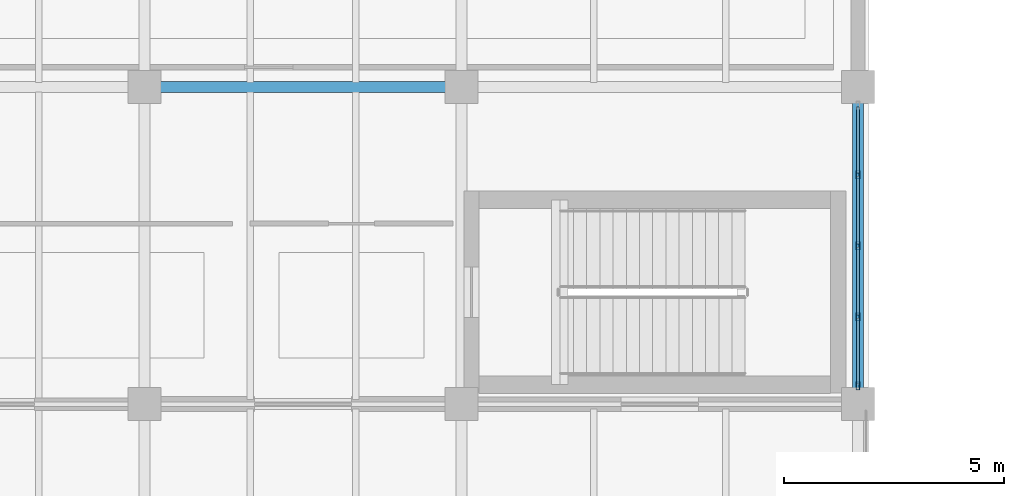
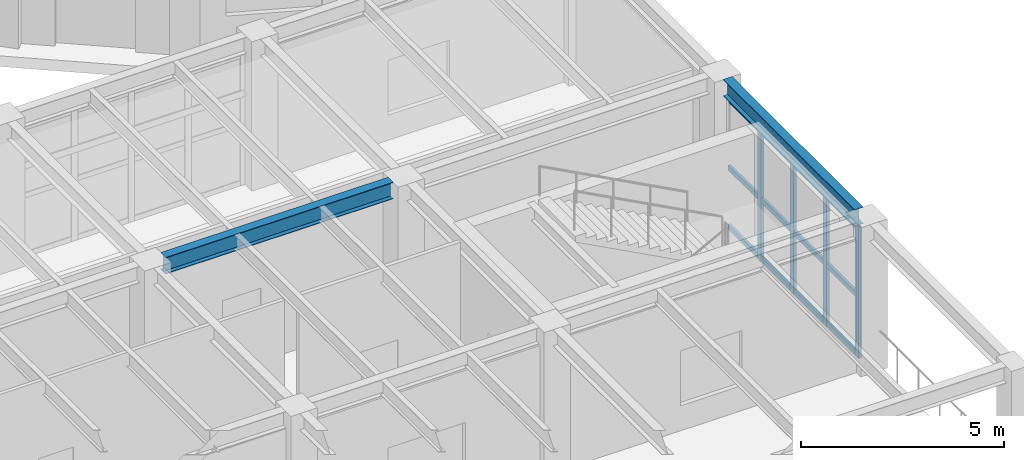
# One storey, part 16 of 39: 16 members, 2 beams, 1 element without a shape of its own.
"""IFC4 building model written with IfcOpenShell, lengths in metres."""

import ifcopenshell
import ifcopenshell.guid

model = None  # the IFC model being written
_history = None  # IfcOwnerHistory: only IFC2X3 demands one
_inside = {}  # id of a spatial element -> (the spatial element, [elements in it])
_under = {}  # id of a project, library or spatial element -> (it, [spatial elements below it])
_declared = {}  # id of a project -> (the project, [libraries it declares])
_typed = {}  # id of a type object -> (the type object, [elements of that type])
_made_of = {}  # id of a material, layer set ... -> (it, [elements and type objects made of it])


def new_model(schema):
    """Start an empty IFC model of exactly this schema.

    Asked for "IFC4X3", IfcOpenShell would pick the latest addendum, in which some entities
    have other attributes; the version numbers below select the first issue.
    IFC2X3 requires an IfcOwnerHistory on every rooted entity: one is made here for all.
    """
    global model, _history
    if schema == "IFC4X3":
        model = ifcopenshell.file(schema_version=(4, 3, 0, 0))
    else:
        model = ifcopenshell.file(schema=schema)
    _inside.clear()
    _under.clear()
    _declared.clear()
    _typed.clear()
    _made_of.clear()
    _history = None
    if model.schema == "IFC2X3":
        org = make("IfcOrganization", Name="unknown")
        user = make(
            "IfcPersonAndOrganization",
            ThePerson=make("IfcPerson", FamilyName="unknown"),
            TheOrganization=org,
        )
        app = make(
            "IfcApplication",
            ApplicationDeveloper=org,
            Version="unknown",
            ApplicationFullName="unknown",
            ApplicationIdentifier="unknown",
        )
        _history = make(
            "IfcOwnerHistory",
            OwningUser=user,
            OwningApplication=app,
            ChangeAction="ADDED",
            CreationDate=0,
        )
    return model


def make(cls, **values):
    """One entity of the class cls with the attributes given. An attribute that is None is left unset."""
    return model.create_entity(
        cls, **{name: value for name, value in values.items() if value is not None}
    )


def rooted(cls, **values):
    """An entity with a GlobalId (a new one), such as an element, a storey or a relation."""
    return make(cls, GlobalId=ifcopenshell.guid.new(), OwnerHistory=_history, **values)


def si_unit(unit_type, name, prefix=None):
    """IfcSIUnit, for example si_unit("LENGTHUNIT", "METRE", prefix="MILLI")."""
    return make("IfcSIUnit", UnitType=unit_type, Prefix=prefix, Name=name)


def assignment(units):
    """IfcUnitAssignment: the units of a project."""
    return None if units is None else make("IfcUnitAssignment", Units=units)


def point(xyz):
    """IfcCartesianPoint."""
    return None if xyz is None else make("IfcCartesianPoint", Coordinates=xyz)


def direction(xyz):
    """IfcDirection."""
    return None if xyz is None else make("IfcDirection", DirectionRatios=xyz)


def frame(location, z_axis=None, x_axis=None):
    """IfcAxis2Placement3D, a coordinate frame: its origin and axes. An axis left out is left unset."""
    return make(
        "IfcAxis2Placement3D",
        Location=point(location),
        Axis=direction(z_axis),
        RefDirection=direction(x_axis),
    )


def frame_2d(location, x_axis=None):
    """IfcAxis2Placement2D, a coordinate frame in the plane: its origin and x axis."""
    return make(
        "IfcAxis2Placement2D", Location=point(location), RefDirection=direction(x_axis)
    )


def origin():
    """The frame at (0, 0, 0) with its axes left unset."""
    return frame((0.0, 0.0, 0.0))


def origin_2d():
    """The frame at (0, 0) in the plane with its x axis left unset."""
    return frame_2d((0.0, 0.0))


def place(relative_to, where):
    """IfcLocalPlacement: puts the frame where relative to a parent placement (None: the world)."""
    return make(
        "IfcLocalPlacement", PlacementRelTo=relative_to, RelativePlacement=where
    )


def context(
    kind, dimensions, precision=None, world=None, true_north=None, identifier=None
):
    """IfcGeometricRepresentationContext, for example the 3D "Model" context."""
    return make(
        "IfcGeometricRepresentationContext",
        ContextIdentifier=identifier,
        ContextType=kind,
        CoordinateSpaceDimension=dimensions,
        Precision=precision,
        WorldCoordinateSystem=world,
        TrueNorth=true_north,
    )


def subcontext(parent, identifier, kind, view, scale=None):
    """IfcGeometricRepresentationSubContext, for example "Body" below "Model"."""
    return make(
        "IfcGeometricRepresentationSubContext",
        ContextIdentifier=identifier,
        ContextType=kind,
        ParentContext=parent,
        TargetScale=scale,
        TargetView=view,
    )


def project(units=None, contexts=None):
    """IfcProject with its units and contexts."""
    return rooted(
        "IfcProject",
        Name="project",
        RepresentationContexts=contexts,
        UnitsInContext=assignment(units),
    )


def spatial(cls, under=None, at=None, **own):
    """A site, building, storey or space (cls), placed at a placement, below another one or the project."""
    s = rooted(cls, ObjectPlacement=at, **own)
    if under is not None:
        _under.setdefault(under.id(), (under, []))[1].append(s)
    return s


def profile(cls, at=None, kind="AREA", **sizes):
    """A parametric profile (cls). Its sizes go by their IFC names, for example OverallWidth=200.0."""
    return make(cls, ProfileType=kind, Position=at, **sizes)


def hollow_rectangle(**sizes):
    """IfcRectangleHollowProfileDef."""
    return profile("IfcRectangleHollowProfileDef", **sizes)


def i_section(**sizes):
    """IfcIShapeProfileDef."""
    return profile("IfcIShapeProfileDef", **sizes)


def extrude(swept, where, along, depth):
    """IfcExtrudedAreaSolid: the profile swept, set in the frame where, extruded along a direction by depth."""
    return make(
        "IfcExtrudedAreaSolid",
        SweptArea=swept,
        Position=where,
        ExtrudedDirection=direction(along),
        Depth=depth,
    )


def shape(context_of_items, identifier, shape_type, items):
    """IfcShapeRepresentation: the items that make up one representation, for example the "Body"."""
    return make(
        "IfcShapeRepresentation",
        ContextOfItems=context_of_items,
        RepresentationIdentifier=identifier,
        RepresentationType=shape_type,
        Items=items,
    )


def material(Name=None, Category=None):
    """IfcMaterial."""
    return make("IfcMaterial", Name=Name, Category=Category)


def layer(
    of_material, thickness, ventilated=None, Name=None, Category=None, Priority=None
):
    """IfcMaterialLayer: one layer of a wall or slab, of a material (None: an air gap)."""
    return make(
        "IfcMaterialLayer",
        Material=of_material,
        LayerThickness=thickness,
        IsVentilated=ventilated,
        Name=Name,
        Category=Category,
        Priority=Priority,
    )


def layer_set(layers, Name=None):
    """IfcMaterialLayerSet."""
    return make("IfcMaterialLayerSet", MaterialLayers=layers, LayerSetName=Name)


def material_profile(
    of_material, cross_section, Name=None, Category=None, Priority=None
):
    """IfcMaterialProfile: a cross section and its material."""
    return make(
        "IfcMaterialProfile",
        Name=Name,
        Material=of_material,
        Profile=cross_section,
        Priority=Priority,
        Category=Category,
    )


def profile_set(profiles, Name=None, composite=None):
    """IfcMaterialProfileSet."""
    return make(
        "IfcMaterialProfileSet",
        Name=Name,
        MaterialProfiles=profiles,
        CompositeProfile=composite,
    )


def made_of(thing, what):
    """Note that an element or type object is made of a material, layer set ...; save() writes the relation."""
    if what is not None:
        _made_of.setdefault(what.id(), (what, []))[1].append(thing)
    return thing


def type_object(cls, material=None, **own):
    """A type object (cls), such as IfcWallType, which elements share."""
    return made_of(rooted(cls, **own), material)


def element(
    cls,
    number,
    at=None,
    inside=None,
    cuts=None,
    type_object=None,
    material=None,
    context=None,
    identifier="Body",
    shape_type=None,
    held_by="IfcProductDefinitionShape",
    body=None,
    shapes=None,
    **own,
):
    """One element of the class cls, such as IfcWall. Its Tag is "e" and its number.

    at: its placement. inside: the storey or other place that contains it. cuts: it is an
    opening in that element (IfcRelVoidsElement). A single representation is given by context,
    identifier, shape_type and body (its items); several are given by shapes. held_by: the class
    of the entity that holds the representations. save() writes the other relations.
    """
    e = rooted(cls, Tag="e%d" % number, ObjectPlacement=at, **own)
    if body is not None:
        shapes = [shape(context, identifier, shape_type, body)]
    if shapes is not None:
        e.Representation = make(held_by, Representations=shapes)
    if inside is not None:
        _inside.setdefault(inside.id(), (inside, []))[1].append(e)
    if cuts is not None:
        rooted(
            "IfcRelVoidsElement", RelatingBuildingElement=cuts, RelatedOpeningElement=e
        )
    if type_object is not None:
        _typed.setdefault(type_object.id(), (type_object, []))[1].append(e)
    return made_of(e, material)


def aggregate(whole, parts):
    """IfcRelAggregates: a whole, such as a stair, and the parts it consists of."""
    return rooted("IfcRelAggregates", RelatingObject=whole, RelatedObjects=parts)


def save(model, path):
    """Write the relations noted so far, then the file.

    IfcRelAggregates (storeys below a building ...), IfcRelContainedInSpatialStructure (elements
    in a storey), IfcRelDefinesByType, IfcRelAssociatesMaterial and IfcRelDeclares: one each for
    every whole, place, type object, material and project.
    """
    for whole, parts in _under.values():
        aggregate(whole, parts)
    for where, things in _inside.values():
        rooted(
            "IfcRelContainedInSpatialStructure",
            RelatedElements=things,
            RelatingStructure=where,
        )
    for kind, things in _typed.values():
        rooted("IfcRelDefinesByType", RelatedObjects=things, RelatingType=kind)
    for what, things in _made_of.values():
        rooted("IfcRelAssociatesMaterial", RelatedObjects=things, RelatingMaterial=what)
    for by, libraries in _declared.values():
        rooted("IfcRelDeclares", RelatingContext=by, RelatedDefinitions=libraries)
    model.write(path)


model = new_model("IFC4")

# Units and contexts
model_context = context("Model", 3, precision=1e-05, world=origin(), true_north=direction((0.0, 1.0)))
body_context = subcontext(model_context, "Body", "Model", "MODEL_VIEW")
ifc_project = project(units=[si_unit("LENGTHUNIT", "METRE"), si_unit("AREAUNIT", "SQUARE_METRE"), si_unit("VOLUMEUNIT", "CUBIC_METRE"), si_unit("PLANEANGLEUNIT", "RADIAN"), si_unit("MASSUNIT", "GRAM", prefix="KILO")], contexts=[model_context])

# Site, building, storey
site_placement = place(None, origin())
site = spatial("IfcSite", under=ifc_project, at=site_placement, CompositionType="ELEMENT")
building_placement = place(site_placement, origin())
building = spatial("IfcBuilding", under=site, at=building_placement, Name="Kandorven Conservatory and Botanical Research Centre", CompositionType="ELEMENT")
storey_placement = place(building_placement, origin())
storey = spatial("IfcBuildingStorey", under=building, at=storey_placement, Name="L00", CompositionType="ELEMENT", Elevation=0.0)

# Beams
ifc_material_1 = material(Name="Steel S355 (IS 2062 E350)", Category="steel")
ifc_material_profile_1 = material_profile(ifc_material_1, i_section(OverallWidth=0.25, OverallDepth=0.5, WebThickness=0.010009765625, FlangeThickness=0.0146484375, at=origin_2d()))
ifc_profile_set_1 = profile_set([ifc_material_profile_1], Name="Steel S355 (IS 2062 E350)")
beam_type = type_object("IfcBeamType", Name="Beam_FG-02", PredefinedType="USERDEFINED", material=ifc_profile_set_1)
for number, where, z_axis, x_axis, name in (
    (1, (71.1650390625, 20.39990234375, 4.22998046875), (1.0, 0.0, 0.0), (0.0, 1.0, 0.0), "Primary girder FG-02 VIS L00"),
    (2, (87.0, 13.56494140625, 4.22998046875), (0.0, 1.0, 0.0), (-1.0, 0.0, 0.0), "Primary girder FG-02 VIS L00"),
):
    element("IfcBeam", number, at=place(storey_placement, frame(where, z_axis=z_axis, x_axis=x_axis)), inside=storey, type_object=beam_type, Name=name, ObjectType="GIRDER", PredefinedType="USERDEFINED", context=body_context, shape_type="SweptSolid", body=[
        extrude(i_section(OverallWidth=0.25, OverallDepth=0.5, WebThickness=0.010009765625, FlangeThickness=0.0146484375, at=origin_2d()), origin(), (0.0, 0.0, 1.0), 6.469970703125),
    ])

# Curtain wall, members
ifc_material_2 = material(Name="Bronze anodised thermally broken aluminium", Category="aluminium")
ifc_layer = layer(ifc_material_2, 0.179931640625)
ifc_layer_set = layer_set([ifc_layer], Name="Bronze anodised thermally broken aluminium")
curtain_wall_type = type_object("IfcCurtainWallType", Name="CW_Unitised", PredefinedType="USERDEFINED", material=ifc_layer_set)
curtain_wall_placement = place(storey_placement, origin())
curtain_wall = element("IfcCurtainWall", 3, at=curtain_wall_placement, inside=storey, type_object=curtain_wall_type, Name="Visitor wing east curtain wall CW-VIS-E-L00-1", ObjectType="UNITISED GLAZING", PredefinedType="USERDEFINED")
ifc_material_3 = material(Name="Bronze anodised thermally broken aluminium", Category="aluminium")
ifc_material_profile_2 = material_profile(ifc_material_3, hollow_rectangle(XDim=0.080078125, YDim=0.179931640625, WallThickness=0.006103515625, at=origin_2d()))
ifc_profile_set_2 = profile_set([ifc_material_profile_2], Name="Bronze anodised thermally broken aluminium")
member_type_1 = type_object("IfcMemberType", Name="CW_Mullion", PredefinedType="MULLION", material=ifc_profile_set_2)
member_1_placement = place(storey_placement, frame((87.0, 13.614990234375, 0.0), z_axis=(0.0, 0.0, 1.0), x_axis=(-1.0, 0.0, 0.0)))
member_1 = element("IfcMember", 4, at=member_1_placement, type_object=member_type_1, Name="CW-01 mullion 1", PredefinedType="MULLION", context=body_context, shape_type="SweptSolid", body=[
    extrude(hollow_rectangle(XDim=0.080078125, YDim=0.179931640625, WallThickness=0.006103515625, at=origin_2d()), origin(), (0.0, 0.0, 1.0), 3.969970703125),
])
member_2_placement = place(storey_placement, frame((87.0, 15.1875, 0.0), z_axis=(0.0, 0.0, 1.0), x_axis=(-1.0, 0.0, 0.0)))
member_2 = element("IfcMember", 5, at=member_2_placement, type_object=member_type_1, Name="CW-01 mullion 2", PredefinedType="MULLION", context=body_context, shape_type="SweptSolid", body=[
    extrude(hollow_rectangle(XDim=0.080078125, YDim=0.179931640625, WallThickness=0.006103515625, at=origin_2d()), origin(), (0.0, 0.0, 1.0), 3.969970703125),
])
member_3_placement = place(storey_placement, frame((87.0, 16.800048828125, 0.0), z_axis=(0.0, 0.0, 1.0), x_axis=(-1.0, 0.0, 0.0)))
member_3 = element("IfcMember", 6, at=member_3_placement, type_object=member_type_1, Name="CW-01 mullion 3", PredefinedType="MULLION", context=body_context, shape_type="SweptSolid", body=[
    extrude(hollow_rectangle(XDim=0.080078125, YDim=0.179931640625, WallThickness=0.006103515625, at=origin_2d()), origin(), (0.0, 0.0, 1.0), 3.969970703125),
])
member_4_placement = place(storey_placement, frame((87.0, 18.41259765625, 0.0), z_axis=(0.0, 0.0, 1.0), x_axis=(-1.0, 0.0, 0.0)))
member_4 = element("IfcMember", 7, at=member_4_placement, type_object=member_type_1, Name="CW-01 mullion 4", PredefinedType="MULLION", context=body_context, shape_type="SweptSolid", body=[
    extrude(hollow_rectangle(XDim=0.080078125, YDim=0.179931640625, WallThickness=0.006103515625, at=origin_2d()), origin(), (0.0, 0.0, 1.0), 3.969970703125),
])
ifc_material_4 = material(Name="Bronze anodised thermally broken aluminium", Category="aluminium")
ifc_material_profile_3 = material_profile(ifc_material_4, hollow_rectangle(XDim=0.074951171875, YDim=0.14990234375, WallThickness=0.006103515625, at=origin_2d()))
ifc_profile_set_3 = profile_set([ifc_material_profile_3], Name="Bronze anodised thermally broken aluminium")
member_type_2 = type_object("IfcMemberType", Name="CW_Transom", PredefinedType="USERDEFINED", material=ifc_profile_set_3)
member_5_placement = place(storey_placement, frame((87.0, 13.655029296875, 0.074951171875), z_axis=(0.0, 1.0, 0.0), x_axis=(-1.0, 0.0, 0.0)))
member_5 = element("IfcMember", 8, at=member_5_placement, type_object=member_type_2, Name="CW-01 transom 1.1", ObjectType="TRANSOM", PredefinedType="USERDEFINED", context=body_context, shape_type="SweptSolid", body=[
    extrude(hollow_rectangle(XDim=0.074951171875, YDim=0.14990234375, WallThickness=0.006103515625, at=origin_2d()), origin(), (0.0, 0.0, 1.0), 1.492431640625),
])
member_6_placement = place(storey_placement, frame((87.0, 13.655029296875, 1.85009765625), z_axis=(0.0, 1.0, 0.0), x_axis=(-1.0, 0.0, 0.0)))
member_6 = element("IfcMember", 9, at=member_6_placement, type_object=member_type_2, Name="CW-01 transom 1.2", ObjectType="TRANSOM", PredefinedType="USERDEFINED", context=body_context, shape_type="SweptSolid", body=[
    extrude(hollow_rectangle(XDim=0.074951171875, YDim=0.14990234375, WallThickness=0.006103515625, at=origin_2d()), origin(), (0.0, 0.0, 1.0), 1.492431640625),
])
member_7_placement = place(storey_placement, frame((87.0, 13.655029296875, 3.89501953125), z_axis=(0.0, 1.0, 0.0), x_axis=(-1.0, 0.0, 0.0)))
member_7 = element("IfcMember", 10, at=member_7_placement, type_object=member_type_2, Name="CW-01 transom 1.3", ObjectType="TRANSOM", PredefinedType="USERDEFINED", context=body_context, shape_type="SweptSolid", body=[
    extrude(hollow_rectangle(XDim=0.074951171875, YDim=0.14990234375, WallThickness=0.006103515625, at=origin_2d()), origin(), (0.0, 0.0, 1.0), 1.492431640625),
])
member_8_placement = place(storey_placement, frame((87.0, 15.2275390625, 0.074951171875), z_axis=(0.0, 1.0, 0.0), x_axis=(-1.0, 0.0, 0.0)))
member_8 = element("IfcMember", 11, at=member_8_placement, type_object=member_type_2, Name="CW-01 transom 2.1", ObjectType="TRANSOM", PredefinedType="USERDEFINED", context=body_context, shape_type="SweptSolid", body=[
    extrude(hollow_rectangle(XDim=0.074951171875, YDim=0.14990234375, WallThickness=0.006103515625, at=origin_2d()), origin(), (0.0, 0.0, 1.0), 1.532470703125),
])
member_9_placement = place(storey_placement, frame((87.0, 15.2275390625, 1.85009765625), z_axis=(0.0, 1.0, 0.0), x_axis=(-1.0, 0.0, 0.0)))
member_9 = element("IfcMember", 12, at=member_9_placement, type_object=member_type_2, Name="CW-01 transom 2.2", ObjectType="TRANSOM", PredefinedType="USERDEFINED", context=body_context, shape_type="SweptSolid", body=[
    extrude(hollow_rectangle(XDim=0.074951171875, YDim=0.14990234375, WallThickness=0.006103515625, at=origin_2d()), origin(), (0.0, 0.0, 1.0), 1.532470703125),
])
member_10_placement = place(storey_placement, frame((87.0, 15.2275390625, 3.89501953125), z_axis=(0.0, 1.0, 0.0), x_axis=(-1.0, 0.0, 0.0)))
member_10 = element("IfcMember", 13, at=member_10_placement, type_object=member_type_2, Name="CW-01 transom 2.3", ObjectType="TRANSOM", PredefinedType="USERDEFINED", context=body_context, shape_type="SweptSolid", body=[
    extrude(hollow_rectangle(XDim=0.074951171875, YDim=0.14990234375, WallThickness=0.006103515625, at=origin_2d()), origin(), (0.0, 0.0, 1.0), 1.532470703125),
])
member_11_placement = place(storey_placement, frame((87.0, 16.840087890625, 0.074951171875), z_axis=(0.0, 1.0, 0.0), x_axis=(-1.0, 0.0, 0.0)))
member_11 = element("IfcMember", 14, at=member_11_placement, type_object=member_type_2, Name="CW-01 transom 3.1", ObjectType="TRANSOM", PredefinedType="USERDEFINED", context=body_context, shape_type="SweptSolid", body=[
    extrude(hollow_rectangle(XDim=0.074951171875, YDim=0.14990234375, WallThickness=0.006103515625, at=origin_2d()), origin(), (0.0, 0.0, 1.0), 1.532470703125),
])
member_12_placement = place(storey_placement, frame((87.0, 16.840087890625, 1.85009765625), z_axis=(0.0, 1.0, 0.0), x_axis=(-1.0, 0.0, 0.0)))
member_12 = element("IfcMember", 15, at=member_12_placement, type_object=member_type_2, Name="CW-01 transom 3.2", ObjectType="TRANSOM", PredefinedType="USERDEFINED", context=body_context, shape_type="SweptSolid", body=[
    extrude(hollow_rectangle(XDim=0.074951171875, YDim=0.14990234375, WallThickness=0.006103515625, at=origin_2d()), origin(), (0.0, 0.0, 1.0), 1.532470703125),
])
member_13_placement = place(storey_placement, frame((87.0, 16.840087890625, 3.89501953125), z_axis=(0.0, 1.0, 0.0), x_axis=(-1.0, 0.0, 0.0)))
member_13 = element("IfcMember", 16, at=member_13_placement, type_object=member_type_2, Name="CW-01 transom 3.3", ObjectType="TRANSOM", PredefinedType="USERDEFINED", context=body_context, shape_type="SweptSolid", body=[
    extrude(hollow_rectangle(XDim=0.074951171875, YDim=0.14990234375, WallThickness=0.006103515625, at=origin_2d()), origin(), (0.0, 0.0, 1.0), 1.532470703125),
])
member_14_placement = place(storey_placement, frame((87.0, 18.452392578125, 0.074951171875), z_axis=(0.0, 1.0, 0.0), x_axis=(-1.0, 0.0, 0.0)))
member_14 = element("IfcMember", 17, at=member_14_placement, type_object=member_type_2, Name="CW-01 transom 4.1", ObjectType="TRANSOM", PredefinedType="USERDEFINED", context=body_context, shape_type="SweptSolid", body=[
    extrude(hollow_rectangle(XDim=0.074951171875, YDim=0.14990234375, WallThickness=0.006103515625, at=origin_2d()), origin(), (0.0, 0.0, 1.0), 1.49267578125),
])
member_15_placement = place(storey_placement, frame((87.0, 18.452392578125, 1.85009765625), z_axis=(0.0, 1.0, 0.0), x_axis=(-1.0, 0.0, 0.0)))
member_15 = element("IfcMember", 18, at=member_15_placement, type_object=member_type_2, Name="CW-01 transom 4.2", ObjectType="TRANSOM", PredefinedType="USERDEFINED", context=body_context, shape_type="SweptSolid", body=[
    extrude(hollow_rectangle(XDim=0.074951171875, YDim=0.14990234375, WallThickness=0.006103515625, at=origin_2d()), origin(), (0.0, 0.0, 1.0), 1.49267578125),
])
member_16_placement = place(storey_placement, frame((87.0, 18.452392578125, 3.89501953125), z_axis=(0.0, 1.0, 0.0), x_axis=(-1.0, 0.0, 0.0)))
member_16 = element("IfcMember", 19, at=member_16_placement, type_object=member_type_2, Name="CW-01 transom 4.3", ObjectType="TRANSOM", PredefinedType="USERDEFINED", context=body_context, shape_type="SweptSolid", body=[
    extrude(hollow_rectangle(XDim=0.074951171875, YDim=0.14990234375, WallThickness=0.006103515625, at=origin_2d()), origin(), (0.0, 0.0, 1.0), 1.49267578125),
])
aggregate(curtain_wall, [member_1, member_2, member_3, member_4, member_5, member_6, member_7, member_8, member_9, member_10, member_11, member_12, member_13, member_14, member_15, member_16])

save(model, "model.ifc")
